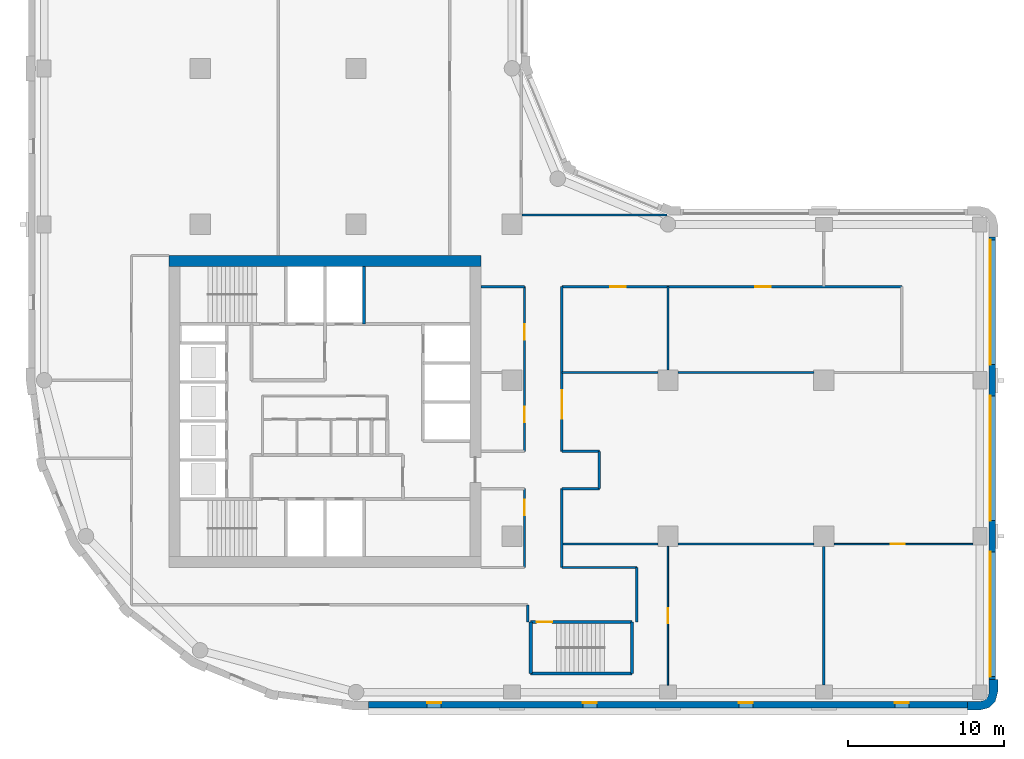
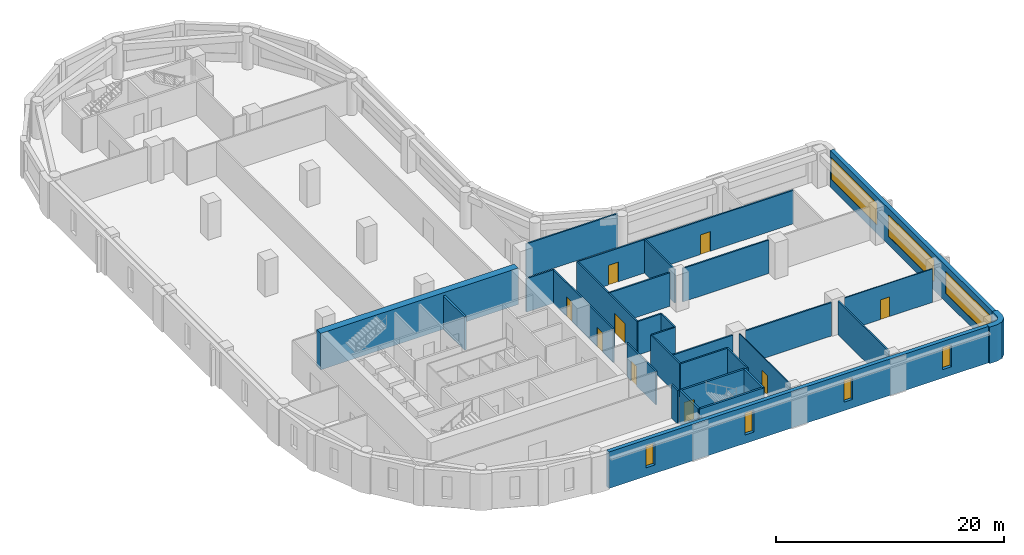
# One storey, part 4 of 9: 30 walls, 9 doors, 7 windows, 16 openings.
"""IFC4 building model written with IfcOpenShell, lengths in metres."""

from ifc_helpers import new_model, si_unit, direction, frame, frame_2d, origin, place, context, subcontext, project, spatial, polyline, rectangle, outline, extrude, material, layer, layer_set, type_object, element, fill, save


model = new_model("IFC4")

# Units and contexts
model_context = context("Model", 3, precision=1e-05, world=origin(), true_north=direction((0.0, 1.0)))
body_context = subcontext(model_context, "Body", "Model", "MODEL_VIEW")
ifc_project = project(units=[si_unit("LENGTHUNIT", "METRE"), si_unit("AREAUNIT", "SQUARE_METRE"), si_unit("VOLUMEUNIT", "CUBIC_METRE"), si_unit("PLANEANGLEUNIT", "RADIAN"), si_unit("MASSUNIT", "GRAM", prefix="KILO")], contexts=[model_context])

# Site, building, storey
site_placement = place(None, origin())
site = spatial("IfcSite", under=ifc_project, at=site_placement, CompositionType="ELEMENT")
building_placement = place(site_placement, origin())
building = spatial("IfcBuilding", under=site, at=building_placement, Name="Qaws Garden Tower", CompositionType="ELEMENT")
storey_placement = place(building_placement, frame((0.0, 0.0, 217.5)))
storey = spatial("IfcBuildingStorey", under=building, at=storey_placement, Name="L53", CompositionType="ELEMENT", Elevation=217.5)

# Wall
ifc_material_1 = material(Name="Clay facing brick masonry", Category="masonry")
ifc_layer_1 = layer(ifc_material_1, 0.550048828125)
ifc_layer_set_1 = layer_set([ifc_layer_1], Name="Clay facing brick masonry")
wall_type_1 = type_object("IfcWallType", Name="Brick corner pier 550 x 2400", PredefinedType="SOLIDWALL", material=ifc_layer_set_1)
wall_1_placement = place(storey_placement, origin())
element("IfcWall", 1, at=wall_1_placement, inside=storey, type_object=wall_type_1, Name="E-L53-pier-04", PredefinedType="SOLIDWALL", context=body_context, shape_type="SweptSolid", body=[
    extrude(outline(polyline([(59.199951171875, -1.0), (59.199951171875, -1.14990234375), (60.0, -1.14990234375), (60.574951171875, -0.995849609375), (60.995849609375, -0.574951171875), (61.14990234375, 0.0), (61.14990234375, 0.800048828125), (61.0, 0.800048828125), (60.60009765625, 0.800048828125), (60.60009765625, 0.0), (60.51953125, -0.300048828125), (60.300048828125, -0.51953125), (60.0, -0.60009765625), (59.199951171875, -0.60009765625), (59.199951171875, -1.0)])), origin(), (0.0, 0.0, 1.0), 3.89990234375),
])

# Wall, openings, windows
ifc_material_2 = material(Name="Clay facing brick masonry", Category="masonry")
ifc_layer_2 = layer(ifc_material_2, 0.39990234375)
ifc_layer_set_2 = layer_set([ifc_layer_2], Name="Clay facing brick masonry")
wall_type_2 = type_object("IfcWallType", Name="Brick infill wall 400", PredefinedType="SOLIDWALL", material=ifc_layer_set_2)
wall_2_placement = place(storey_placement, frame((20.800048828125, -0.800048828125, 0.0), z_axis=(0.0, 0.0, 1.0), x_axis=(1.0, 0.0, 0.0)))
wall_2 = element("IfcWall", 2, at=wall_2_placement, inside=storey, type_object=wall_type_2, Name="E-L53-infill-00", PredefinedType="SOLIDWALL", context=body_context, shape_type="SweptSolid", body=[
    extrude(rectangle(XDim=38.39990234375, YDim=0.39990234375, at=frame_2d((19.199951171875, 0.0))), origin(), (0.0, 0.0, 1.0), 3.89990234375),
])
opening_1_placement = place(wall_2_placement, frame((3.75, 0.0, 0.89990234375)))
opening_1 = element("IfcOpeningElement", 3, at=opening_1_placement, cuts=wall_2, Name="Opening W09", PredefinedType="OPENING", context=body_context, shape_type="SweptSolid", body=[
    extrude(rectangle(XDim=0.89990234375, YDim=2.35009765625, at=frame_2d((0.449951171875, 1.175048828125))), frame((0.0, 0.2099609375, 0.0), z_axis=(0.0, -1.0, 0.0), x_axis=(1.0, 0.0, 0.0)), (0.0, 0.0, 1.0), 0.419921875),
])
opening_2_placement = place(wall_2_placement, frame((13.75, 0.0, 0.89990234375)))
opening_2 = element("IfcOpeningElement", 4, at=opening_2_placement, cuts=wall_2, Name="Opening W09", PredefinedType="OPENING", context=body_context, shape_type="SweptSolid", body=[
    extrude(rectangle(XDim=0.89990234375, YDim=2.35009765625, at=frame_2d((0.449951171875, 1.175048828125))), frame((0.0, 0.2099609375, 0.0), z_axis=(0.0, -1.0, 0.0), x_axis=(1.0, 0.0, 0.0)), (0.0, 0.0, 1.0), 0.419921875),
])
opening_3_placement = place(wall_2_placement, frame((23.75, 0.0, 0.89990234375)))
opening_3 = element("IfcOpeningElement", 5, at=opening_3_placement, cuts=wall_2, Name="Opening W09", PredefinedType="OPENING", context=body_context, shape_type="SweptSolid", body=[
    extrude(rectangle(XDim=0.89990234375, YDim=2.35009765625, at=frame_2d((0.449951171875, 1.175048828125))), frame((0.0, 0.2099609375, 0.0), z_axis=(0.0, -1.0, 0.0), x_axis=(1.0, 0.0, 0.0)), (0.0, 0.0, 1.0), 0.419921875),
])
opening_4_placement = place(wall_2_placement, frame((33.75, 0.0, 0.89990234375)))
opening_4 = element("IfcOpeningElement", 6, at=opening_4_placement, cuts=wall_2, Name="Opening W09", PredefinedType="OPENING", context=body_context, shape_type="SweptSolid", body=[
    extrude(rectangle(XDim=0.89990234375, YDim=2.35009765625, at=frame_2d((0.449951171875, 1.175048828125))), frame((0.0, 0.2099609375, 0.0), z_axis=(0.0, -1.0, 0.0), x_axis=(1.0, 0.0, 0.0)), (0.0, 0.0, 1.0), 0.419921875),
])
ifc_material_3 = material(Name="Aluminium framed window, clear glazing", Category="aluminium")
window_type_1 = type_object("IfcWindowType", Name="Slit window 900 x 2350", PartitioningType="SINGLE_PANEL", PredefinedType="WINDOW", material=ifc_material_3)
window_1_placement = place(opening_1_placement, origin())
window_1 = element("IfcWindow", 7, at=window_1_placement, inside=storey, type_object=window_type_1, Name="E-L53-window-00-0", OverallHeight=2.35009765625, OverallWidth=0.89990234375, PartitioningType="SINGLE_PANEL", PredefinedType="WINDOW", context=body_context, shape_type="SweptSolid", body=[
    extrude(rectangle(XDim=0.89990234375, YDim=2.35009765625, at=frame_2d((0.449951171875, 1.175048828125))), frame((0.0, 0.159912109375, 0.0), z_axis=(0.0, -1.0, 0.0), x_axis=(1.0, 0.0, 0.0)), (0.0, 0.0, 1.0), 0.06005859375),
])
fill(opening_1, window_1)
window_2_placement = place(opening_2_placement, origin())
window_2 = element("IfcWindow", 8, at=window_2_placement, inside=storey, type_object=window_type_1, Name="E-L53-window-01-0", OverallHeight=2.35009765625, OverallWidth=0.89990234375, PartitioningType="SINGLE_PANEL", PredefinedType="WINDOW", context=body_context, shape_type="SweptSolid", body=[
    extrude(rectangle(XDim=0.89990234375, YDim=2.35009765625, at=frame_2d((0.449951171875, 1.175048828125))), frame((0.0, 0.159912109375, 0.0), z_axis=(0.0, -1.0, 0.0), x_axis=(1.0, 0.0, 0.0)), (0.0, 0.0, 1.0), 0.06005859375),
])
fill(opening_2, window_2)
window_3_placement = place(opening_3_placement, origin())
window_3 = element("IfcWindow", 9, at=window_3_placement, inside=storey, type_object=window_type_1, Name="E-L53-window-02-0", OverallHeight=2.35009765625, OverallWidth=0.89990234375, PartitioningType="SINGLE_PANEL", PredefinedType="WINDOW", context=body_context, shape_type="SweptSolid", body=[
    extrude(rectangle(XDim=0.89990234375, YDim=2.35009765625, at=frame_2d((0.449951171875, 1.175048828125))), frame((0.0, 0.159912109375, 0.0), z_axis=(0.0, -1.0, 0.0), x_axis=(1.0, 0.0, 0.0)), (0.0, 0.0, 1.0), 0.06005859375),
])
fill(opening_3, window_3)
window_4_placement = place(opening_4_placement, origin())
window_4 = element("IfcWindow", 10, at=window_4_placement, inside=storey, type_object=window_type_1, Name="E-L53-window-03-0", OverallHeight=2.35009765625, OverallWidth=0.89990234375, PartitioningType="SINGLE_PANEL", PredefinedType="WINDOW", context=body_context, shape_type="SweptSolid", body=[
    extrude(rectangle(XDim=0.89990234375, YDim=2.35009765625, at=frame_2d((0.449951171875, 1.175048828125))), frame((0.0, 0.159912109375, 0.0), z_axis=(0.0, -1.0, 0.0), x_axis=(1.0, 0.0, 0.0)), (0.0, 0.0, 1.0), 0.06005859375),
])
fill(opening_4, window_4)

wall_3_placement = place(storey_placement, frame((60.800048828125, 0.800048828125, 0.0), z_axis=(0.0, 0.0, 1.0), x_axis=(0.0, 1.0, 0.0)))
wall_3 = element("IfcWall", 11, at=wall_3_placement, inside=storey, type_object=wall_type_2, Name="E-L53-infill-04", PredefinedType="SOLIDWALL", context=body_context, shape_type="SweptSolid", body=[
    extrude(rectangle(XDim=28.39990234375, YDim=0.39990234375, at=frame_2d((14.199951171875, 0.0))), origin(), (0.0, 0.0, 1.0), 3.89990234375),
])
opening_5_placement = place(wall_3_placement, frame((0.199951171875, 0.0, 0.89990234375)))
opening_5 = element("IfcOpeningElement", 12, at=opening_5_placement, cuts=wall_3, Name="Opening W01", PredefinedType="OPENING", context=body_context, shape_type="SweptSolid", body=[
    extrude(rectangle(XDim=8.0, YDim=2.35009765625, at=frame_2d((4.0, 1.175048828125))), frame((0.0, 0.2099609375, 0.0), z_axis=(0.0, -1.0, 0.0), x_axis=(1.0, 0.0, 0.0)), (0.0, 0.0, 1.0), 0.419921875),
])
opening_6_placement = place(wall_3_placement, frame((10.199951171875, 0.0, 0.89990234375)))
opening_6 = element("IfcOpeningElement", 13, at=opening_6_placement, cuts=wall_3, Name="Opening W01", PredefinedType="OPENING", context=body_context, shape_type="SweptSolid", body=[
    extrude(rectangle(XDim=8.0, YDim=2.35009765625, at=frame_2d((4.0, 1.175048828125))), frame((0.0, 0.2099609375, 0.0), z_axis=(0.0, -1.0, 0.0), x_axis=(1.0, 0.0, 0.0)), (0.0, 0.0, 1.0), 0.419921875),
])
opening_7_placement = place(wall_3_placement, frame((20.199951171875, 0.0, 0.89990234375)))
opening_7 = element("IfcOpeningElement", 14, at=opening_7_placement, cuts=wall_3, Name="Opening W01", PredefinedType="OPENING", context=body_context, shape_type="SweptSolid", body=[
    extrude(rectangle(XDim=8.0, YDim=2.35009765625, at=frame_2d((4.0, 1.175048828125))), frame((0.0, 0.2099609375, 0.0), z_axis=(0.0, -1.0, 0.0), x_axis=(1.0, 0.0, 0.0)), (0.0, 0.0, 1.0), 0.419921875),
])
ifc_material_4 = material(Name="Aluminium framed window, clear glazing", Category="aluminium")
window_type_2 = type_object("IfcWindowType", Name="Ribbon window 8000 x 2350", PartitioningType="DOUBLE_PANEL_VERTICAL", PredefinedType="WINDOW", material=ifc_material_4)
window_5_placement = place(opening_5_placement, origin())
window_5 = element("IfcWindow", 15, at=window_5_placement, inside=storey, type_object=window_type_2, Name="E-L53-window-04-0", OverallHeight=2.35009765625, OverallWidth=8.0, PartitioningType="SINGLE_PANEL", PredefinedType="WINDOW", context=body_context, shape_type="SweptSolid", body=[
    extrude(rectangle(XDim=8.0, YDim=2.35009765625, at=frame_2d((4.0, 1.175048828125))), frame((0.0, 0.159912109375, 0.0), z_axis=(0.0, -1.0, 0.0), x_axis=(1.0, 0.0, 0.0)), (0.0, 0.0, 1.0), 0.06005859375),
])
fill(opening_5, window_5)
window_6_placement = place(opening_6_placement, origin())
window_6 = element("IfcWindow", 16, at=window_6_placement, inside=storey, type_object=window_type_2, Name="E-L53-window-05-0", OverallHeight=2.35009765625, OverallWidth=8.0, PartitioningType="SINGLE_PANEL", PredefinedType="WINDOW", context=body_context, shape_type="SweptSolid", body=[
    extrude(rectangle(XDim=8.0, YDim=2.35009765625, at=frame_2d((4.0, 1.175048828125))), frame((0.0, 0.159912109375, 0.0), z_axis=(0.0, -1.0, 0.0), x_axis=(1.0, 0.0, 0.0)), (0.0, 0.0, 1.0), 0.06005859375),
])
fill(opening_6, window_6)
window_7_placement = place(opening_7_placement, origin())
window_7 = element("IfcWindow", 17, at=window_7_placement, inside=storey, type_object=window_type_2, Name="E-L53-window-06-0", OverallHeight=2.35009765625, OverallWidth=8.0, PartitioningType="SINGLE_PANEL", PredefinedType="WINDOW", context=body_context, shape_type="SweptSolid", body=[
    extrude(rectangle(XDim=8.0, YDim=2.35009765625, at=frame_2d((4.0, 1.175048828125))), frame((0.0, 0.159912109375, 0.0), z_axis=(0.0, -1.0, 0.0), x_axis=(1.0, 0.0, 0.0)), (0.0, 0.0, 1.0), 0.06005859375),
])
fill(opening_7, window_7)

# Wall
ifc_material_5 = material(Name="Concrete C70", Category="concrete")
ifc_layer_3 = layer(ifc_material_5, 0.199951171875)
ifc_layer_set_3 = layer_set([ifc_layer_3], Name="Concrete C70")
wall_type_3 = type_object("IfcWallType", Name="Core shaft wall 200 C70", PredefinedType="SHEAR", material=ifc_layer_set_3)
wall_4_placement = place(storey_placement, frame((31.199951171875, 1.199951171875, 0.0), z_axis=(0.0, 0.0, 1.0), x_axis=(1.0, 0.0, 0.0)))
element("IfcWall", 18, at=wall_4_placement, inside=storey, type_object=wall_type_3, Name="Shaft wall", PredefinedType="SHEAR", context=body_context, shape_type="SweptSolid", body=[
    extrude(rectangle(XDim=6.5, YDim=0.199951171875, at=frame_2d((3.25, 0.0))), origin(), (0.0, 0.0, 1.0), 3.580078125),
])

# Wall, opening, door
wall_5_placement = place(storey_placement, frame((31.199951171875, 4.5, 0.0), z_axis=(0.0, 0.0, 1.0), x_axis=(1.0, 0.0, 0.0)))
wall_5 = element("IfcWall", 19, at=wall_5_placement, inside=storey, type_object=wall_type_3, Name="Shaft wall", PredefinedType="SHEAR", context=body_context, shape_type="SweptSolid", body=[
    extrude(rectangle(XDim=6.5, YDim=0.199951171875, at=frame_2d((3.25, 0.0))), origin(), (0.0, 0.0, 1.0), 3.580078125),
])
opening_8_placement = place(wall_5_placement, frame((0.375, 0.0, 0.0)))
opening_8 = element("IfcOpeningElement", 20, at=opening_8_placement, cuts=wall_5, Name="Opening SD12", PredefinedType="OPENING", context=body_context, shape_type="SweptSolid", body=[
    extrude(rectangle(XDim=1.0, YDim=2.10009765625, at=frame_2d((0.5, 1.050048828125))), frame((0.0, 0.10986328125, 0.0), z_axis=(0.0, -1.0, 0.0), x_axis=(1.0, 0.0, 0.0)), (0.0, 0.0, 1.0), 0.219970703125),
])
ifc_material_6 = material(Name="Steel S235", Category="steel")
door_type_1 = type_object("IfcDoorType", Name="Stair door 1000x2100", OperationType="SINGLE_SWING_RIGHT", PredefinedType="DOOR", material=ifc_material_6)
door_1_placement = place(opening_8_placement, frame((1.0, 0.0, 0.0), z_axis=(0.0, 0.0, 1.0), x_axis=(-1.0, 0.0, 0.0)))
door_1 = element("IfcDoor", 21, at=door_1_placement, inside=storey, type_object=door_type_1, Name="Stair 5 door", OperationType="SINGLE_SWING_RIGHT", OverallHeight=2.10009765625, OverallWidth=1.0, PredefinedType="DOOR", context=body_context, shape_type="SweptSolid", body=[
    extrude(rectangle(XDim=1.0, YDim=2.10009765625, at=frame_2d((0.5, 1.050048828125))), frame((0.0, 0.02490234375, 0.0), z_axis=(0.0, -1.0, 0.0), x_axis=(1.0, 0.0, 0.0)), (0.0, 0.0, 1.0), 0.050048828125),
])
fill(opening_8, door_1)

# Walls
wall_6_placement = place(storey_placement, frame((20.5, 23.60009765625, 0.0), z_axis=(0.0, 0.0, 1.0), x_axis=(0.0, 1.0, 0.0)))
element("IfcWall", 22, at=wall_6_placement, inside=storey, type_object=wall_type_3, Name="Shaft wall", PredefinedType="SHEAR", context=body_context, shape_type="SweptSolid", body=[
    extrude(rectangle(XDim=3.699951171875, YDim=0.199951171875, at=frame_2d((1.85009765625, 0.0))), origin(), (0.0, 0.0, 1.0), 3.580078125),
])
for number, where, z_axis, x_axis, name in (
    (23, (31.199951171875, 1.199951171875, 0.0), (0.0, 0.0, 1.0), (0.0, 1.0, 0.0), "Shaft wall"),
    (24, (37.699951171875, 1.199951171875, 0.0), (0.0, 0.0, 1.0), (0.0, 1.0, 0.0), "Shaft wall"),
):
    element("IfcWall", number, at=place(storey_placement, frame(where, z_axis=z_axis, x_axis=x_axis)), inside=storey, type_object=wall_type_3, Name=name, PredefinedType="SHEAR", context=body_context, shape_type="SweptSolid", body=[
        extrude(rectangle(XDim=3.300048828125, YDim=0.199951171875, at=frame_2d((1.64990234375, 0.0))), origin(), (0.0, 0.0, 1.0), 3.580078125),
    ])
ifc_material_7 = material(Name="Concrete C70", Category="concrete")
ifc_layer_4 = layer(ifc_material_7, 0.699951171875)
ifc_layer_set_4 = layer_set([ifc_layer_4], Name="Concrete C70")
wall_type_4 = type_object("IfcWallType", Name="Core wall 700 C70", PredefinedType="SHEAR", material=ifc_layer_set_4)
wall_7_placement = place(storey_placement, frame((28.0, 27.64990234375, 0.0), z_axis=(0.0, 0.0, 1.0), x_axis=(-1.0, 0.0, 0.0)))
element("IfcWall", 25, at=wall_7_placement, inside=storey, type_object=wall_type_4, Name="Core wall L53 north", PredefinedType="SHEAR", context=body_context, shape_type="SweptSolid", body=[
    extrude(rectangle(XDim=20.0, YDim=0.699951171875, at=frame_2d((10.0, 0.0))), origin(), (0.0, 0.0, 1.0), 3.89990234375),
])

# Wall, opening, door
ifc_material_8 = material(Name="Gypsum board partition")
ifc_layer_5 = layer(ifc_material_8, 0.10009765625)
ifc_layer_set_5 = layer_set([ifc_layer_5], Name="Gypsum board partition")
wall_type_5 = type_object("IfcWallType", Name="PARTITION 100", PredefinedType="PARTITIONING", material=ifc_layer_set_5)
wall_8_placement = place(storey_placement, frame((40.0, 0.449951171875, 0.0), z_axis=(0.0, 0.0, 1.0), x_axis=(0.0, 1.0, 0.0)))
wall_8 = element("IfcWall", 26, at=wall_8_placement, inside=storey, type_object=wall_type_5, Name="O-L53-wall-001", PredefinedType="PARTITIONING", context=body_context, shape_type="SweptSolid", body=[
    extrude(rectangle(XDim=8.900146484375, YDim=0.10009765625, at=frame_2d((4.4501953125, 0.0))), origin(), (0.0, 0.0, 1.0), 3.580078125),
])
opening_9_placement = place(wall_8_placement, frame((3.97509765625, 0.0, 0.0)))
opening_9 = element("IfcOpeningElement", 27, at=opening_9_placement, cuts=wall_8, Name="Opening B816", PredefinedType="OPENING", context=body_context, shape_type="SweptSolid", body=[
    extrude(rectangle(XDim=0.949951171875, YDim=2.10009765625, at=frame_2d((0.47509765625, 1.050048828125))), frame((0.0, 0.06005859375, 0.0), z_axis=(0.0, -1.0, 0.0), x_axis=(1.0, 0.0, 0.0)), (0.0, 0.0, 1.0), 0.1201171875),
])
ifc_material_9 = material(Name="Timber and glass door leaf", Category="wood")
door_type_2 = type_object("IfcDoorType", Name="GLAZED DOOR 950 X 2100", OperationType="SINGLE_SWING_LEFT", PredefinedType="DOOR", material=ifc_material_9)
door_2_placement = place(opening_9_placement, frame((0.949951171875, 0.0, 0.0), z_axis=(0.0, 0.0, 1.0), x_axis=(-1.0, 0.0, 0.0)))
door_2 = element("IfcDoor", 28, at=door_2_placement, inside=storey, type_object=door_type_2, Name="O-L53-door-016", OperationType="SINGLE_SWING_LEFT", OverallHeight=2.10009765625, OverallWidth=0.949951171875, PredefinedType="DOOR", context=body_context, shape_type="SweptSolid", body=[
    extrude(rectangle(XDim=0.949951171875, YDim=2.10009765625, at=frame_2d((0.47509765625, 1.050048828125))), frame((0.0, 0.02490234375, 0.0), z_axis=(0.0, -1.0, 0.0), x_axis=(1.0, 0.0, 0.0)), (0.0, 0.0, 1.0), 0.050048828125),
])
fill(opening_9, door_2)

wall_9_placement = place(storey_placement, frame((50.64990234375, 9.5, 0.0), z_axis=(0.0, 0.0, 1.0), x_axis=(1.0, 0.0, 0.0)))
wall_9 = element("IfcWall", 29, at=wall_9_placement, inside=storey, type_object=wall_type_5, Name="O-L53-wall-002", PredefinedType="PARTITIONING", context=body_context, shape_type="SweptSolid", body=[
    extrude(rectangle(XDim=8.900146484375, YDim=0.10009765625, at=frame_2d((4.4501953125, 0.0))), origin(), (0.0, 0.0, 1.0), 3.580078125),
])
opening_10_placement = place(wall_9_placement, frame((3.64990234375, 0.0, 0.0)))
opening_10 = element("IfcOpeningElement", 30, at=opening_10_placement, cuts=wall_9, Name="Opening B815", PredefinedType="OPENING", context=body_context, shape_type="SweptSolid", body=[
    extrude(rectangle(XDim=0.89990234375, YDim=2.10009765625, at=frame_2d((0.449951171875, 1.050048828125))), frame((0.0, 0.06005859375, 0.0), z_axis=(0.0, -1.0, 0.0), x_axis=(1.0, 0.0, 0.0)), (0.0, 0.0, 1.0), 0.1201171875),
])
ifc_material_10 = material(Name="Timber door leaf", Category="wood")
door_type_3 = type_object("IfcDoorType", Name="OFFICE DOOR 900 X 2100", OperationType="SINGLE_SWING_LEFT", PredefinedType="DOOR", material=ifc_material_10)
door_3_placement = place(opening_10_placement, frame((0.89990234375, 0.0, 0.0), z_axis=(0.0, 0.0, 1.0), x_axis=(-1.0, 0.0, 0.0)))
door_3 = element("IfcDoor", 31, at=door_3_placement, inside=storey, type_object=door_type_3, Name="O-L53-door-015", OperationType="SINGLE_SWING_RIGHT", OverallHeight=2.10009765625, OverallWidth=0.89990234375, PredefinedType="DOOR", context=body_context, shape_type="SweptSolid", body=[
    extrude(rectangle(XDim=0.89990234375, YDim=2.10009765625, at=frame_2d((0.449951171875, 1.050048828125))), frame((0.0, 0.02490234375, 0.0), z_axis=(0.0, -1.0, 0.0), x_axis=(1.0, 0.0, 0.0)), (0.0, 0.0, 1.0), 0.050048828125),
])
fill(opening_10, door_3)

ifc_material_11 = material(Name="Gypsum board partition")
ifc_layer_6 = layer(ifc_material_11, 0.14990234375)
ifc_layer_set_6 = layer_set([ifc_layer_6], Name="Gypsum board partition")
wall_type_6 = type_object("IfcWallType", Name="PARTITION 150 EI 60", PredefinedType="PARTITIONING", material=ifc_layer_set_6)
wall_10_placement = place(storey_placement, frame((30.800048828125, 8.0009765625, 0.0), z_axis=(0.0, 0.0, 1.0), x_axis=(0.0, 1.0, 0.0)))
wall_10 = element("IfcWall", 32, at=wall_10_placement, inside=storey, type_object=wall_type_6, Name="O-L53-wall-010", PredefinedType="PARTITIONING", context=body_context, shape_type="SweptSolid", body=[
    extrude(rectangle(XDim=5.048095703125, YDim=0.14990234375, at=frame_2d((2.52392578125, 0.0))), origin(), (0.0, 0.0, 1.0), 3.580078125),
])
opening_11_placement = place(wall_10_placement, frame((3.35009765625, 0.0, 0.0)))
opening_11 = element("IfcOpeningElement", 33, at=opening_11_placement, cuts=wall_10, Name="Opening B812", PredefinedType="OPENING", context=body_context, shape_type="SweptSolid", body=[
    extrude(rectangle(XDim=1.0, YDim=2.10009765625, at=frame_2d((0.5, 1.050048828125))), frame((0.0, 0.0849609375, 0.0), z_axis=(0.0, -1.0, 0.0), x_axis=(1.0, 0.0, 0.0)), (0.0, 0.0, 1.0), 0.169921875),
])
ifc_material_12 = material(Name="Timber door leaf", Category="wood")
door_type_4 = type_object("IfcDoorType", Name="TENANCY ENTRANCE DOOR 1000 X 2100", OperationType="SINGLE_SWING_LEFT", PredefinedType="DOOR", material=ifc_material_12)
door_4_placement = place(opening_11_placement, origin())
door_4 = element("IfcDoor", 34, at=door_4_placement, inside=storey, type_object=door_type_4, Name="O-L53-door-012", OperationType="SINGLE_SWING_RIGHT", OverallHeight=2.10009765625, OverallWidth=1.0, PredefinedType="DOOR", context=body_context, shape_type="SweptSolid", body=[
    extrude(rectangle(XDim=1.0, YDim=2.10009765625, at=frame_2d((0.5, 1.050048828125))), frame((0.0, 0.02490234375, 0.0), z_axis=(0.0, -1.0, 0.0), x_axis=(1.0, 0.0, 0.0)), (0.0, 0.0, 1.0), 0.050048828125),
])
fill(opening_11, door_4)

# Wall, openings, doors
wall_11_placement = place(storey_placement, frame((30.800048828125, 15.449951171875, 0.0), z_axis=(0.0, 0.0, 1.0), x_axis=(0.0, 1.0, 0.0)))
wall_11 = element("IfcWall", 35, at=wall_11_placement, inside=storey, type_object=wall_type_6, Name="O-L53-wall-011", PredefinedType="PARTITIONING", context=body_context, shape_type="SweptSolid", body=[
    extrude(rectangle(XDim=10.550048828125, YDim=0.14990234375, at=frame_2d((5.27490234375, 0.0))), origin(), (0.0, 0.0, 1.0), 3.580078125),
])
opening_12_placement = place(wall_11_placement, frame((7.14990234375, 0.0, 0.0)))
opening_12 = element("IfcOpeningElement", 36, at=opening_12_placement, cuts=wall_11, Name="Opening B809", PredefinedType="OPENING", context=body_context, shape_type="SweptSolid", body=[
    extrude(rectangle(XDim=1.0, YDim=2.10009765625, at=frame_2d((0.5, 1.050048828125))), frame((0.0, 0.0849609375, 0.0), z_axis=(0.0, -1.0, 0.0), x_axis=(1.0, 0.0, 0.0)), (0.0, 0.0, 1.0), 0.169921875),
])
opening_13_placement = place(wall_11_placement, frame((1.85009765625, 0.0, 0.0)))
opening_13 = element("IfcOpeningElement", 37, at=opening_13_placement, cuts=wall_11, Name="Opening B814", PredefinedType="OPENING", context=body_context, shape_type="SweptSolid", body=[
    extrude(rectangle(XDim=1.0, YDim=2.10009765625, at=frame_2d((0.5, 1.050048828125))), frame((0.0, 0.0849609375, 0.0), z_axis=(0.0, -1.0, 0.0), x_axis=(1.0, 0.0, 0.0)), (0.0, 0.0, 1.0), 0.169921875),
])
door_5_placement = place(opening_12_placement, origin())
door_5 = element("IfcDoor", 38, at=door_5_placement, inside=storey, type_object=door_type_4, Name="O-L53-door-009", OperationType="SINGLE_SWING_RIGHT", OverallHeight=2.10009765625, OverallWidth=1.0, PredefinedType="DOOR", context=body_context, shape_type="SweptSolid", body=[
    extrude(rectangle(XDim=1.0, YDim=2.10009765625, at=frame_2d((0.5, 1.050048828125))), frame((0.0, 0.02490234375, 0.0), z_axis=(0.0, -1.0, 0.0), x_axis=(1.0, 0.0, 0.0)), (0.0, 0.0, 1.0), 0.050048828125),
])
fill(opening_12, door_5)
door_6_placement = place(opening_13_placement, origin())
door_6 = element("IfcDoor", 39, at=door_6_placement, inside=storey, type_object=door_type_4, Name="O-L53-door-014", OperationType="SINGLE_SWING_RIGHT", OverallHeight=2.10009765625, OverallWidth=1.0, PredefinedType="DOOR", context=body_context, shape_type="SweptSolid", body=[
    extrude(rectangle(XDim=1.0, YDim=2.10009765625, at=frame_2d((0.5, 1.050048828125))), frame((0.0, 0.02490234375, 0.0), z_axis=(0.0, -1.0, 0.0), x_axis=(1.0, 0.0, 0.0)), (0.0, 0.0, 1.0), 0.050048828125),
])
fill(opening_13, door_6)

# Walls
wall_12_placement = place(storey_placement, frame((31.0, 4.5, 0.0), z_axis=(0.0, 0.0, 1.0), x_axis=(0.0, 1.0, 0.0)))
element("IfcWall", 40, at=wall_12_placement, inside=storey, type_object=wall_type_6, Name="O-L53-wall-012", PredefinedType="PARTITIONING", context=body_context, shape_type="SweptSolid", body=[
    extrude(rectangle(XDim=1.10009765625, YDim=0.14990234375, at=frame_2d((0.550048828125, 0.0))), origin(), (0.0, 0.0, 1.0), 3.580078125),
])
wall_13_placement = place(storey_placement, frame((33.199951171875, 8.0, 0.0), z_axis=(0.0, 0.0, 1.0), x_axis=(0.0, 1.0, 0.0)))
element("IfcWall", 41, at=wall_13_placement, inside=storey, type_object=wall_type_6, Name="O-L53-wall-013", PredefinedType="PARTITIONING", context=body_context, shape_type="SweptSolid", body=[
    extrude(rectangle(XDim=5.050048828125, YDim=0.14990234375, at=frame_2d((2.52490234375, 0.0))), origin(), (0.0, 0.0, 1.0), 3.580078125),
])

# Wall, opening, door
wall_14_placement = place(storey_placement, frame((33.199951171875, 15.449951171875, 0.0), z_axis=(0.0, 0.0, 1.0), x_axis=(0.0, 1.0, 0.0)))
wall_14 = element("IfcWall", 42, at=wall_14_placement, inside=storey, type_object=wall_type_6, Name="O-L53-wall-014", PredefinedType="PARTITIONING", context=body_context, shape_type="SweptSolid", body=[
    extrude(rectangle(XDim=10.550048828125, YDim=0.14990234375, at=frame_2d((5.27490234375, 0.0))), origin(), (0.0, 0.0, 1.0), 3.580078125),
])
opening_14_placement = place(wall_14_placement, frame((2.10009765625, 0.0, 0.0)))
opening_14 = element("IfcOpeningElement", 43, at=opening_14_placement, cuts=wall_14, Name="Opening B813", PredefinedType="OPENING", context=body_context, shape_type="SweptSolid", body=[
    extrude(rectangle(XDim=1.800048828125, YDim=2.10009765625, at=frame_2d((0.89990234375, 1.050048828125))), frame((0.0, 0.0849609375, 0.0), z_axis=(0.0, -1.0, 0.0), x_axis=(1.0, 0.0, 0.0)), (0.0, 0.0, 1.0), 0.169921875),
])
ifc_material_13 = material(Name="Timber door leaf", Category="wood")
door_type_5 = type_object("IfcDoorType", Name="DOUBLE DOOR 1800 X 2100", OperationType="DOUBLE_DOOR_SINGLE_SWING", PredefinedType="DOOR", material=ifc_material_13)
door_7_placement = place(opening_14_placement, frame((1.800048828125, 0.0, 0.0), z_axis=(0.0, 0.0, 1.0), x_axis=(-1.0, 0.0, 0.0)))
door_7 = element("IfcDoor", 44, at=door_7_placement, inside=storey, type_object=door_type_5, Name="O-L53-door-013", OperationType="DOUBLE_DOOR_SINGLE_SWING", OverallHeight=2.10009765625, OverallWidth=1.800048828125, PredefinedType="DOOR", context=body_context, shape_type="SweptSolid", body=[
    extrude(rectangle(XDim=1.800048828125, YDim=2.10009765625, at=frame_2d((0.89990234375, 1.050048828125))), frame((0.0, 0.02490234375, 0.0), z_axis=(0.0, -1.0, 0.0), x_axis=(1.0, 0.0, 0.0)), (0.0, 0.0, 1.0), 0.050048828125),
])
fill(opening_14, door_7)

# Walls
wall_15_placement = place(storey_placement, frame((35.60009765625, 13.050048828125, 0.0), z_axis=(0.0, 0.0, 1.0), x_axis=(0.0, 1.0, 0.0)))
element("IfcWall", 45, at=wall_15_placement, inside=storey, type_object=wall_type_6, Name="O-L53-wall-015", PredefinedType="PARTITIONING", context=body_context, shape_type="SweptSolid", body=[
    extrude(rectangle(XDim=2.39990234375, YDim=0.14990234375, at=frame_2d((1.199951171875, 0.0))), origin(), (0.0, 0.0, 1.0), 3.580078125),
])
wall_16_placement = place(storey_placement, frame((38.0, 4.5, 0.0), z_axis=(0.0, 0.0, 1.0), x_axis=(0.0, 1.0, 0.0)))
element("IfcWall", 46, at=wall_16_placement, inside=storey, type_object=wall_type_6, Name="O-L53-wall-016", PredefinedType="PARTITIONING", context=body_context, shape_type="SweptSolid", body=[
    extrude(rectangle(XDim=3.5, YDim=0.14990234375, at=frame_2d((1.75, 0.0))), origin(), (0.0, 0.0, 1.0), 3.580078125),
])
wall_17_placement = place(storey_placement, frame((40.0, 20.64990234375, 0.0), z_axis=(0.0, 0.0, 1.0), x_axis=(0.0, 1.0, 0.0)))
element("IfcWall", 47, at=wall_17_placement, inside=storey, type_object=wall_type_6, Name="O-L53-wall-017", PredefinedType="PARTITIONING", context=body_context, shape_type="SweptSolid", body=[
    extrude(rectangle(XDim=5.35009765625, YDim=0.14990234375, at=frame_2d((2.675048828125, 0.0))), origin(), (0.0, 0.0, 1.0), 3.580078125),
])
wall_18_placement = place(storey_placement, frame((50.0, 0.449951171875, 0.0), z_axis=(0.0, 0.0, 1.0), x_axis=(0.0, 1.0, 0.0)))
element("IfcWall", 48, at=wall_18_placement, inside=storey, type_object=wall_type_6, Name="O-L53-wall-018", PredefinedType="PARTITIONING", context=body_context, shape_type="SweptSolid", body=[
    extrude(rectangle(XDim=8.900146484375, YDim=0.14990234375, at=frame_2d((4.4501953125, 0.0))), origin(), (0.0, 0.0, 1.0), 3.580078125),
])
wall_19_placement = place(storey_placement, frame((33.199951171875, 8.0, 0.0), z_axis=(0.0, 0.0, 1.0), x_axis=(1.0, 0.0, 0.0)))
element("IfcWall", 49, at=wall_19_placement, inside=storey, type_object=wall_type_6, Name="O-L53-wall-023", PredefinedType="PARTITIONING", context=body_context, shape_type="SweptSolid", body=[
    extrude(rectangle(XDim=4.800048828125, YDim=0.14990234375, at=frame_2d((2.39990234375, 0.0))), origin(), (0.0, 0.0, 1.0), 3.580078125),
])
wall_20_placement = place(storey_placement, frame((33.199951171875, 9.5, 0.0), z_axis=(0.0, 0.0, 1.0), x_axis=(1.0, 0.0, 0.0)))
element("IfcWall", 50, at=wall_20_placement, inside=storey, type_object=wall_type_6, Name="O-L53-wall-024", PredefinedType="PARTITIONING", context=body_context, shape_type="SweptSolid", body=[
    extrude(rectangle(XDim=6.150146484375, YDim=0.14990234375, at=frame_2d((3.0751953125, 0.0))), origin(), (0.0, 0.0, 1.0), 3.580078125),
])
wall_21_placement = place(storey_placement, frame((40.64990234375, 9.5, 0.0), z_axis=(0.0, 0.0, 1.0), x_axis=(1.0, 0.0, 0.0)))
element("IfcWall", 51, at=wall_21_placement, inside=storey, type_object=wall_type_6, Name="O-L53-wall-025", PredefinedType="PARTITIONING", context=body_context, shape_type="SweptSolid", body=[
    extrude(rectangle(XDim=8.7001953125, YDim=0.14990234375, at=frame_2d((4.35009765625, 0.0))), origin(), (0.0, 0.0, 1.0), 3.580078125),
])
for number, where, z_axis, x_axis, name in (
    (52, (33.199951171875, 13.050048828125, 0.0), (0.0, 0.0, 1.0), (1.0, 0.0, 0.0), "O-L53-wall-027"),
    (53, (33.199951171875, 15.449951171875, 0.0), (0.0, 0.0, 1.0), (1.0, 0.0, 0.0), "O-L53-wall-030"),
):
    element("IfcWall", number, at=place(storey_placement, frame(where, z_axis=z_axis, x_axis=x_axis)), inside=storey, type_object=wall_type_6, Name=name, PredefinedType="PARTITIONING", context=body_context, shape_type="SweptSolid", body=[
        extrude(rectangle(XDim=2.400146484375, YDim=0.14990234375, at=frame_2d((1.2001953125, 0.0))), origin(), (0.0, 0.0, 1.0), 3.580078125),
    ])
wall_22_placement = place(storey_placement, frame((33.199951171875, 20.5, 0.0), z_axis=(0.0, 0.0, 1.0), x_axis=(1.0, 0.0, 0.0)))
element("IfcWall", 54, at=wall_22_placement, inside=storey, type_object=wall_type_6, Name="O-L53-wall-033", PredefinedType="PARTITIONING", context=body_context, shape_type="SweptSolid", body=[
    extrude(rectangle(XDim=6.150146484375, YDim=0.14990234375, at=frame_2d((3.0751953125, 0.0))), origin(), (0.0, 0.0, 1.0), 3.580078125),
])
wall_23_placement = place(storey_placement, frame((40.64990234375, 20.5, 0.0), z_axis=(0.0, 0.0, 1.0), x_axis=(1.0, 0.0, 0.0)))
element("IfcWall", 55, at=wall_23_placement, inside=storey, type_object=wall_type_6, Name="O-L53-wall-034", PredefinedType="PARTITIONING", context=body_context, shape_type="SweptSolid", body=[
    extrude(rectangle(XDim=8.7001953125, YDim=0.14990234375, at=frame_2d((4.35009765625, 0.0))), origin(), (0.0, 0.0, 1.0), 3.580078125),
])
wall_24_placement = place(storey_placement, frame((28.0, 26.0, 0.0), z_axis=(0.0, 0.0, 1.0), x_axis=(1.0, 0.0, 0.0)))
element("IfcWall", 56, at=wall_24_placement, inside=storey, type_object=wall_type_6, Name="O-L53-wall-036", PredefinedType="PARTITIONING", context=body_context, shape_type="SweptSolid", body=[
    extrude(rectangle(XDim=2.800048828125, YDim=0.14990234375, at=frame_2d((1.39990234375, 0.0))), origin(), (0.0, 0.0, 1.0), 3.580078125),
])

# Wall, openings, doors
wall_25_placement = place(storey_placement, frame((33.199951171875, 26.0, 0.0), z_axis=(0.0, 0.0, 1.0), x_axis=(1.0, 0.0, 0.0)))
wall_25 = element("IfcWall", 57, at=wall_25_placement, inside=storey, type_object=wall_type_6, Name="O-L53-wall-037", PredefinedType="PARTITIONING", context=body_context, shape_type="SweptSolid", body=[
    extrude(rectangle(XDim=21.800048828125, YDim=0.14990234375, at=frame_2d((10.89990234375, 0.0))), origin(), (0.0, 0.0, 1.0), 3.580078125),
])
opening_15_placement = place(wall_25_placement, frame((3.10009765625, 0.0, 0.0)))
opening_15 = element("IfcOpeningElement", 58, at=opening_15_placement, cuts=wall_25, Name="Opening B810", PredefinedType="OPENING", context=body_context, shape_type="SweptSolid", body=[
    extrude(rectangle(XDim=1.0, YDim=2.10009765625, at=frame_2d((0.5, 1.050048828125))), frame((0.0, 0.0849609375, 0.0), z_axis=(0.0, -1.0, 0.0), x_axis=(1.0, 0.0, 0.0)), (0.0, 0.0, 1.0), 0.169921875),
])
opening_16_placement = place(wall_25_placement, frame((12.39990234375, 0.0, 0.0)))
opening_16 = element("IfcOpeningElement", 59, at=opening_16_placement, cuts=wall_25, Name="Opening B811", PredefinedType="OPENING", context=body_context, shape_type="SweptSolid", body=[
    extrude(rectangle(XDim=1.0, YDim=2.10009765625, at=frame_2d((0.5, 1.050048828125))), frame((0.0, 0.0849609375, 0.0), z_axis=(0.0, -1.0, 0.0), x_axis=(1.0, 0.0, 0.0)), (0.0, 0.0, 1.0), 0.169921875),
])
door_8_placement = place(opening_15_placement, frame((1.0, 0.0, 0.0), z_axis=(0.0, 0.0, 1.0), x_axis=(-1.0, 0.0, 0.0)))
door_8 = element("IfcDoor", 60, at=door_8_placement, inside=storey, type_object=door_type_4, Name="O-L53-door-010", OperationType="SINGLE_SWING_RIGHT", OverallHeight=2.10009765625, OverallWidth=1.0, PredefinedType="DOOR", context=body_context, shape_type="SweptSolid", body=[
    extrude(rectangle(XDim=1.0, YDim=2.10009765625, at=frame_2d((0.5, 1.050048828125))), frame((0.0, 0.02490234375, 0.0), z_axis=(0.0, -1.0, 0.0), x_axis=(1.0, 0.0, 0.0)), (0.0, 0.0, 1.0), 0.050048828125),
])
fill(opening_15, door_8)
door_9_placement = place(opening_16_placement, frame((1.0, 0.0, 0.0), z_axis=(0.0, 0.0, 1.0), x_axis=(-1.0, 0.0, 0.0)))
door_9 = element("IfcDoor", 61, at=door_9_placement, inside=storey, type_object=door_type_4, Name="O-L53-door-011", OperationType="SINGLE_SWING_RIGHT", OverallHeight=2.10009765625, OverallWidth=1.0, PredefinedType="DOOR", context=body_context, shape_type="SweptSolid", body=[
    extrude(rectangle(XDim=1.0, YDim=2.10009765625, at=frame_2d((0.5, 1.050048828125))), frame((0.0, 0.02490234375, 0.0), z_axis=(0.0, -1.0, 0.0), x_axis=(1.0, 0.0, 0.0)), (0.0, 0.0, 1.0), 0.050048828125),
])
fill(opening_16, door_9)

# Wall
wall_26_placement = place(storey_placement, frame((30.64990234375, 30.60009765625, 0.0), z_axis=(0.0, 0.0, 1.0), x_axis=(1.0, 0.0, 0.0)))
element("IfcWall", 62, at=wall_26_placement, inside=storey, type_object=wall_type_6, Name="O-L53-wall-039", PredefinedType="PARTITIONING", context=body_context, shape_type="SweptSolid", body=[
    extrude(rectangle(XDim=9.288330078125, YDim=0.14990234375, at=frame_2d((4.64404296875, 0.0))), origin(), (0.0, 0.0, 1.0), 3.580078125),
])

save(model, "model.ifc")
